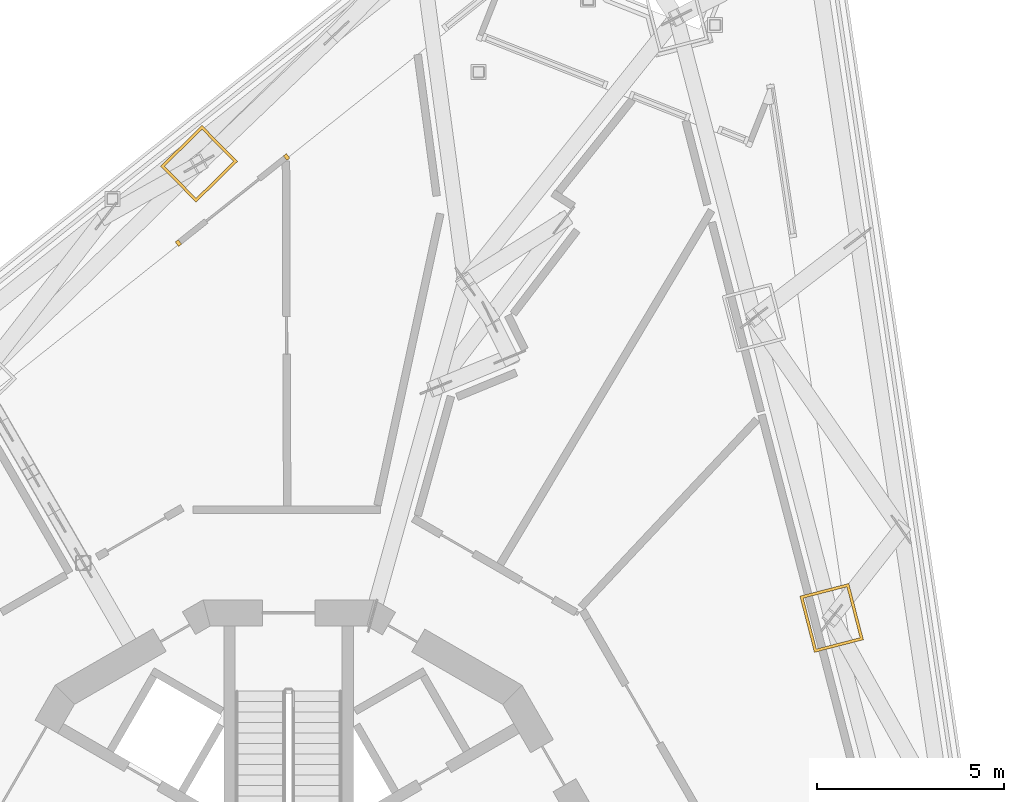
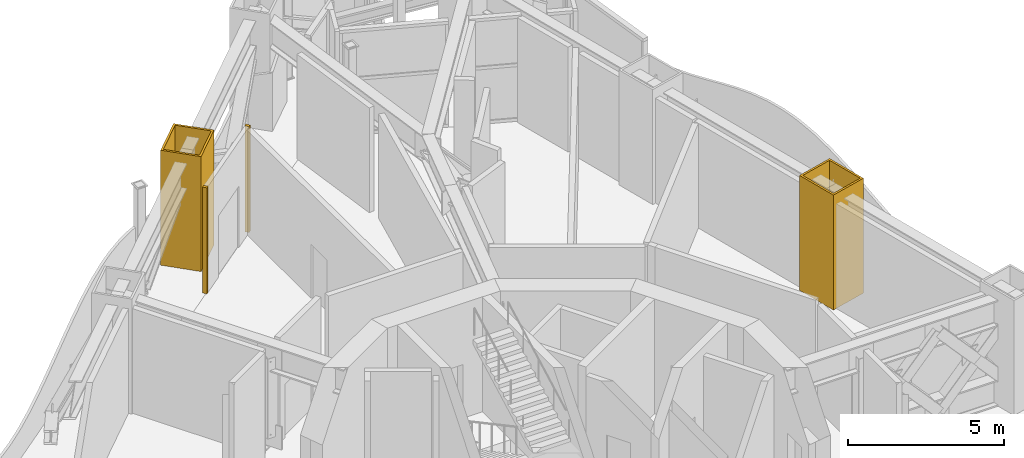
# One storey, part 26 of 27: 4 coverings.
"""IFC4 building model written with IfcOpenShell, lengths in metres."""

from ifc_helpers import new_model, si_unit, direction, frame, origin, place, context, subcontext, project, spatial, polyline, outline, extrude, material, layer, layer_set, type_object, element, save


model = new_model("IFC4")

# Units and contexts
model_context = context("Model", 3, precision=1e-05, world=origin(), true_north=direction((0.0, 1.0)))
body_context = subcontext(model_context, "Body", "Model", "MODEL_VIEW")
ifc_project = project(units=[si_unit("LENGTHUNIT", "METRE"), si_unit("AREAUNIT", "SQUARE_METRE"), si_unit("VOLUMEUNIT", "CUBIC_METRE"), si_unit("PLANEANGLEUNIT", "RADIAN"), si_unit("MASSUNIT", "GRAM", prefix="KILO")], contexts=[model_context])

# Site, building, storey
site_placement = place(None, origin())
site = spatial("IfcSite", under=ifc_project, at=site_placement, CompositionType="ELEMENT")
building_placement = place(site_placement, origin())
building = spatial("IfcBuilding", under=site, at=building_placement, Name="Trine Commons Tower", CompositionType="ELEMENT")
storey_placement = place(building_placement, frame((0.0, 0.0, 230.39990234375)))
storey = spatial("IfcBuildingStorey", under=building, at=storey_placement, Name="L60", CompositionType="ELEMENT", Elevation=230.39990234375)

# Coverings
ifc_material_1 = material(Name="Aluminium-framed insulated wall panel", Category="aluminium")
ifc_layer_1 = layer(ifc_material_1, 0.14990234375)
ifc_layer_set_1 = layer_set([ifc_layer_1], Name="Aluminium-framed insulated wall panel")
covering_type_1 = type_object("IfcCoveringType", Name="Glazing corner post, aluminium", PredefinedType="CLADDING", material=ifc_layer_set_1)
covering_1_placement = place(storey_placement, origin())
element("IfcCovering", 1, at=covering_1_placement, inside=storey, type_object=covering_type_1, Name="Entrance wall jamb post F1 9A", PredefinedType="CLADDING", context=body_context, shape_type="SweptSolid", body=[
    extrude(outline(polyline([(76.977294921875, 80.54052734375), (77.055419921875, 80.602783203125), (77.14892578125, 80.485595703125), (77.070556640625, 80.423095703125), (76.977294921875, 80.54052734375)])), origin(), (0.0, 0.0, 1.0), 4.150146484375),
])
covering_2_placement = place(storey_placement, origin())
element("IfcCovering", 2, at=covering_2_placement, inside=storey, type_object=covering_type_1, Name="Entrance wall jamb post F1 9B", PredefinedType="CLADDING", context=body_context, shape_type="SweptSolid", body=[
    extrude(outline(polyline([(79.86181640625, 82.835205078125), (79.940185546875, 82.8974609375), (80.03369140625, 82.780029296875), (79.955322265625, 82.7177734375), (79.86181640625, 82.835205078125)])), origin(), (0.0, 0.0, 1.0), 4.150146484375),
])
ifc_material_2 = material(Name="Limestone, honed", Category="masonry")
ifc_layer_2 = layer(ifc_material_2, 0.074951171875)
ifc_layer_set_2 = layer_set([ifc_layer_2], Name="Limestone, honed")
covering_type_2 = type_object("IfcCoveringType", Name="Limestone column cladding 75", PredefinedType="CLADDING", material=ifc_layer_set_2)
covering_3_placement = place(storey_placement, origin())
element("IfcCovering", 3, at=covering_3_placement, inside=storey, type_object=covering_type_2, Name="Limestone pier cladding 7-11", PredefinedType="CLADDING", context=body_context, shape_type="SweptSolid", body=[
    extrude(outline(polyline([(78.638427734375, 82.68701171875), (77.692138671875, 83.64990234375), (76.586669921875, 82.5634765625), (77.53271484375, 81.6005859375), (78.638427734375, 82.68701171875)]), holes=[polyline([(78.5322265625, 82.68798828125), (77.691162109375, 83.543701171875), (76.692626953125, 82.5625), (77.53369140625, 81.70654296875), (78.5322265625, 82.68798828125)])]), origin(), (0.0, 0.0, 1.0), 4.5),
])
covering_4_placement = place(storey_placement, origin())
element("IfcCovering", 4, at=covering_4_placement, inside=storey, type_object=covering_type_2, Name="Limestone pier cladding 7-15", PredefinedType="CLADDING", context=body_context, shape_type="SweptSolid", body=[
    extrude(outline(polyline([(94.94140625, 71.43505859375), (93.634521484375, 71.096923828125), (94.0224609375, 69.596435546875), (95.32958984375, 69.934326171875), (94.94140625, 71.43505859375)]), holes=[polyline([(94.8876953125, 71.343505859375), (93.725830078125, 71.043212890625), (94.076416015625, 69.687744140625), (95.23828125, 69.98828125), (94.8876953125, 71.343505859375)])]), origin(), (0.0, 0.0, 1.0), 4.5),
])

save(model, "model.ifc")
